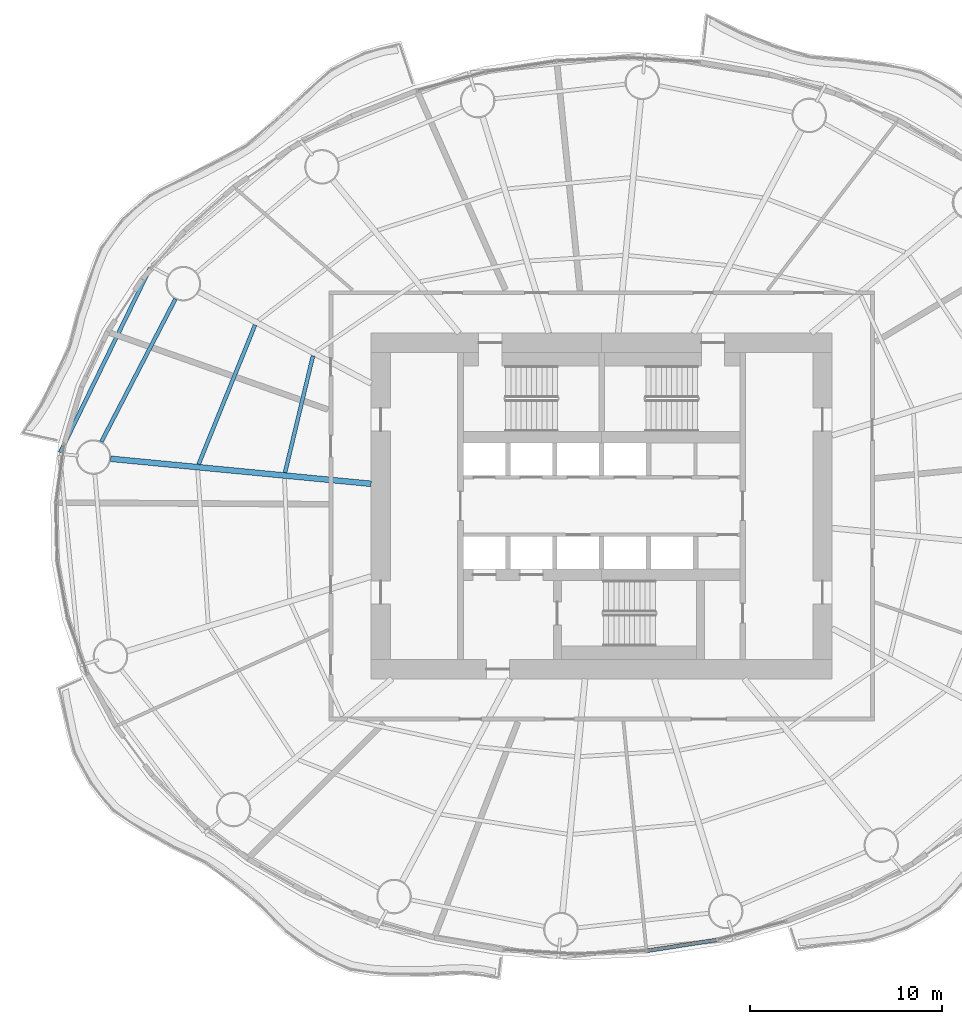
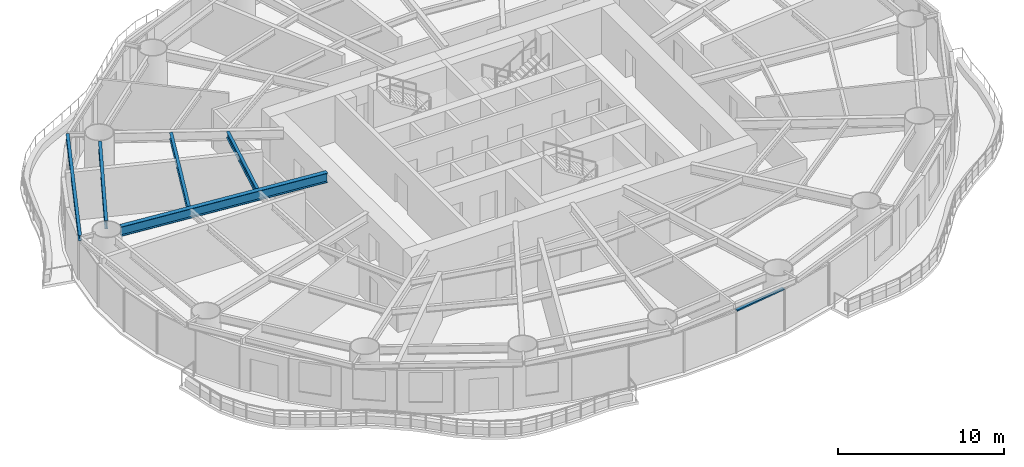
# One storey, part 3 of 16: 5 beams, 1 member, 1 element without a shape of its own.
"""IFC4 building model written with IfcOpenShell, lengths in metres."""

from ifc_helpers import new_model, si_unit, direction, frame, origin, origin_2d, place, context, subcontext, project, spatial, rectangle, i_section, extrude, material, material_profile, profile_set, type_object, element, aggregate, save


model = new_model("IFC4")

# Units and contexts
model_context = context("Model", 3, precision=1e-05, world=origin(), true_north=direction((0.0, 1.0)))
body_context = subcontext(model_context, "Body", "Model", "MODEL_VIEW")
ifc_project = project(units=[si_unit("LENGTHUNIT", "METRE"), si_unit("AREAUNIT", "SQUARE_METRE"), si_unit("VOLUMEUNIT", "CUBIC_METRE"), si_unit("PLANEANGLEUNIT", "RADIAN"), si_unit("MASSUNIT", "GRAM", prefix="KILO")], contexts=[model_context])

# Site, building, storey
site_placement = place(None, origin())
site = spatial("IfcSite", under=ifc_project, at=site_placement, CompositionType="ELEMENT")
building_placement = place(site_placement, origin())
building = spatial("IfcBuilding", under=site, at=building_placement, Name="Vermilion Reach Broadcast Tower", CompositionType="ELEMENT")
storey_placement = place(building_placement, frame((0.0, 0.0, 58.199951171875)))
storey = spatial("IfcBuildingStorey", under=building, at=storey_placement, Name="L11", CompositionType="ELEMENT", Elevation=58.199951171875)

# Beams
ifc_material_1 = material(Name="Steel S355J2", Category="steel")
ifc_material_profile_1 = material_profile(ifc_material_1, i_section(OverallWidth=0.199951171875, OverallDepth=0.39990234375, WebThickness=0.008056640625, FlangeThickness=0.012939453125, at=origin_2d()), Name="S355J2 HN 400x200x8x13")
ifc_profile_set_1 = profile_set([ifc_material_profile_1], Name="Steel S355J2")
beam_type_1 = type_object("IfcBeamType", Name="EB1 HN 400x200x8x13", PredefinedType="BEAM", material=ifc_profile_set_1)
beam_1_placement = place(storey_placement, frame((-29.499267578125, 12.404541015625, 3.35009765625), z_axis=(-0.438322506775, -0.89881776799, 0.0), x_axis=(0.89881776799, -0.438322506775, 0.0)))
element("IfcBeam", 1, at=beam_1_placement, inside=storey, type_object=beam_type_1, Name="Edge beam EB1-07", PredefinedType="BEAM", context=body_context, shape_type="SweptSolid", body=[
    extrude(i_section(OverallWidth=0.199951171875, OverallDepth=0.39990234375, WebThickness=0.008056640625, FlangeThickness=0.012939453125, at=origin_2d()), origin(), (0.0, 0.0, 1.0), 10.70263671875),
])
ifc_material_2 = material(Name="Steel S355J2", Category="steel")
ifc_material_profile_2 = material_profile(ifc_material_2, i_section(OverallWidth=0.300048828125, OverallDepth=0.699951171875, WebThickness=0.012939453125, FlangeThickness=0.02392578125, at=origin_2d()), Name="S355J2 HN 700x300x13x24")
ifc_profile_set_2 = profile_set([ifc_material_profile_2], Name="Steel S355J2")
beam_type_2 = type_object("IfcBeamType", Name="G1 HN 700x300x13x24", PredefinedType="BEAM", material=ifc_profile_set_2)
beam_2_placement = place(storey_placement, frame((-18.0, 1.1533203125, 3.199951171875), z_axis=(-0.995412178872, 0.095679643363, 0.0), x_axis=(-0.095679643363, -0.995412178872, 0.0)))
element("IfcBeam", 2, at=beam_2_placement, inside=storey, type_object=beam_type_2, Name="Girder G1-08", PredefinedType="BEAM", context=body_context, shape_type="SweptSolid", body=[
    extrude(i_section(OverallWidth=0.300048828125, OverallDepth=0.699951171875, WebThickness=0.012939453125, FlangeThickness=0.02392578125, at=origin_2d()), origin(), (0.0, 0.0, 1.0), 13.630859375),
])
ifc_material_3 = material(Name="Steel S355J2", Category="steel")
ifc_material_profile_3 = material_profile(ifc_material_3, i_section(OverallWidth=0.199951171875, OverallDepth=0.60009765625, WebThickness=0.010986328125, FlangeThickness=0.01708984375, at=origin_2d()), Name="S355J2 HN 600x200x11x17")
ifc_profile_set_3 = profile_set([ifc_material_profile_3], Name="Steel S355J2")
beam_type_3 = type_object("IfcBeamType", Name="RB1 HN 600x200x11x17", PredefinedType="BEAM", material=ifc_profile_set_3)
beam_3_placement = place(storey_placement, frame((-28.194091796875, 10.776611328125, 3.25), z_axis=(-0.460411617218, -0.887705549566, 0.0), x_axis=(0.887705549566, -0.460411617218, 0.0)))
element("IfcBeam", 3, at=beam_3_placement, inside=storey, type_object=beam_type_3, Name="Ring beam RB1-07", PredefinedType="BEAM", context=body_context, shape_type="SweptSolid", body=[
    extrude(i_section(OverallWidth=0.199951171875, OverallDepth=0.60009765625, WebThickness=0.010986328125, FlangeThickness=0.01708984375, at=origin_2d()), origin(), (0.0, 0.0, 1.0), 8.37451171875),
])
ifc_material_4 = material(Name="Steel S355J2", Category="steel")
ifc_material_profile_4 = material_profile(ifc_material_4, i_section(OverallWidth=0.199951171875, OverallDepth=0.449951171875, WebThickness=0.009033203125, FlangeThickness=0.013916015625, at=origin_2d()), Name="S355J2 HN 450x200x9x14")
ifc_profile_set_4 = profile_set([ifc_material_profile_4], Name="Steel S355J2")
beam_type_4 = type_object("IfcBeamType", Name="SB1 HN 450x200x9x14", PredefinedType="BEAM", material=ifc_profile_set_4)
beam_4_placement = place(storey_placement, frame((-21.031005859375, 7.81884765625, 3.324951171875), z_axis=(-0.232844467589, -0.972513986487, 0.0), x_axis=(0.972513986487, -0.232844467589, 0.0)))
element("IfcBeam", 4, at=beam_4_placement, inside=storey, type_object=beam_type_4, Name="Secondary beam SB1-07-1", PredefinedType="BEAM", context=body_context, shape_type="SweptSolid", body=[
    extrude(i_section(OverallWidth=0.199951171875, OverallDepth=0.449951171875, WebThickness=0.009033203125, FlangeThickness=0.013916015625, at=origin_2d()), origin(), (0.0, 0.0, 1.0), 6.25537109375),
])
beam_5_placement = place(storey_placement, frame((-24.046630859375, 9.421630859375, 3.324951171875), z_axis=(-0.375640669938, -0.926765389453, 0.0), x_axis=(0.926765389453, -0.375640669938, 0.0)))
element("IfcBeam", 5, at=beam_5_placement, inside=storey, type_object=beam_type_4, Name="Secondary beam SB1-07-2", PredefinedType="BEAM", context=body_context, shape_type="SweptSolid", body=[
    extrude(i_section(OverallWidth=0.199951171875, OverallDepth=0.449951171875, WebThickness=0.009033203125, FlangeThickness=0.013916015625, at=origin_2d()), origin(), (0.0, 0.0, 1.0), 7.8271484375),
])

# Curtain wall, member
ifc_material_5 = material(Name="Low-e laminated clear glass in aluminium frame", Category="aluminium")
curtain_wall_type = type_object("IfcCurtainWallType", Name="Slot curtain wall", PredefinedType="NOTDEFINED", material=ifc_material_5)
curtain_wall_placement = place(storey_placement, origin())
curtain_wall = element("IfcCurtainWall", 6, at=curtain_wall_placement, inside=storey, type_object=curtain_wall_type, Name="Slot curtain wall L11 36", PredefinedType="NOTDEFINED")
ifc_material_6 = material(Name="Anodised aluminium", Category="aluminium")
ifc_material_profile_5 = material_profile(ifc_material_6, rectangle(XDim=0.199951171875, YDim=0.10009765625, at=origin_2d()), Name="Slot transom 200 x 100")
ifc_profile_set_5 = profile_set([ifc_material_profile_5], Name="Anodised aluminium")
member_type = type_object("IfcMemberType", Name="Slot transom 200 x 100", PredefinedType="USERDEFINED", material=ifc_profile_set_5)
member_placement = place(storey_placement, frame((-3.623779296875, -23.1591796875, 3.10009765625), z_axis=(0.988145575861, 0.153519773666, 0.0), x_axis=(-0.153519773666, 0.988145575861, 0.0)))
member = element("IfcMember", 7, at=member_placement, type_object=member_type, Name="Slot transom L11 36.1", ObjectType="TRANSOM", PredefinedType="USERDEFINED", context=body_context, shape_type="SweptSolid", body=[
    extrude(rectangle(XDim=0.199951171875, YDim=0.10009765625, at=origin_2d()), origin(), (0.0, 0.0, 1.0), 3.649658203125),
])
aggregate(curtain_wall, [member])

save(model, "model.ifc")
